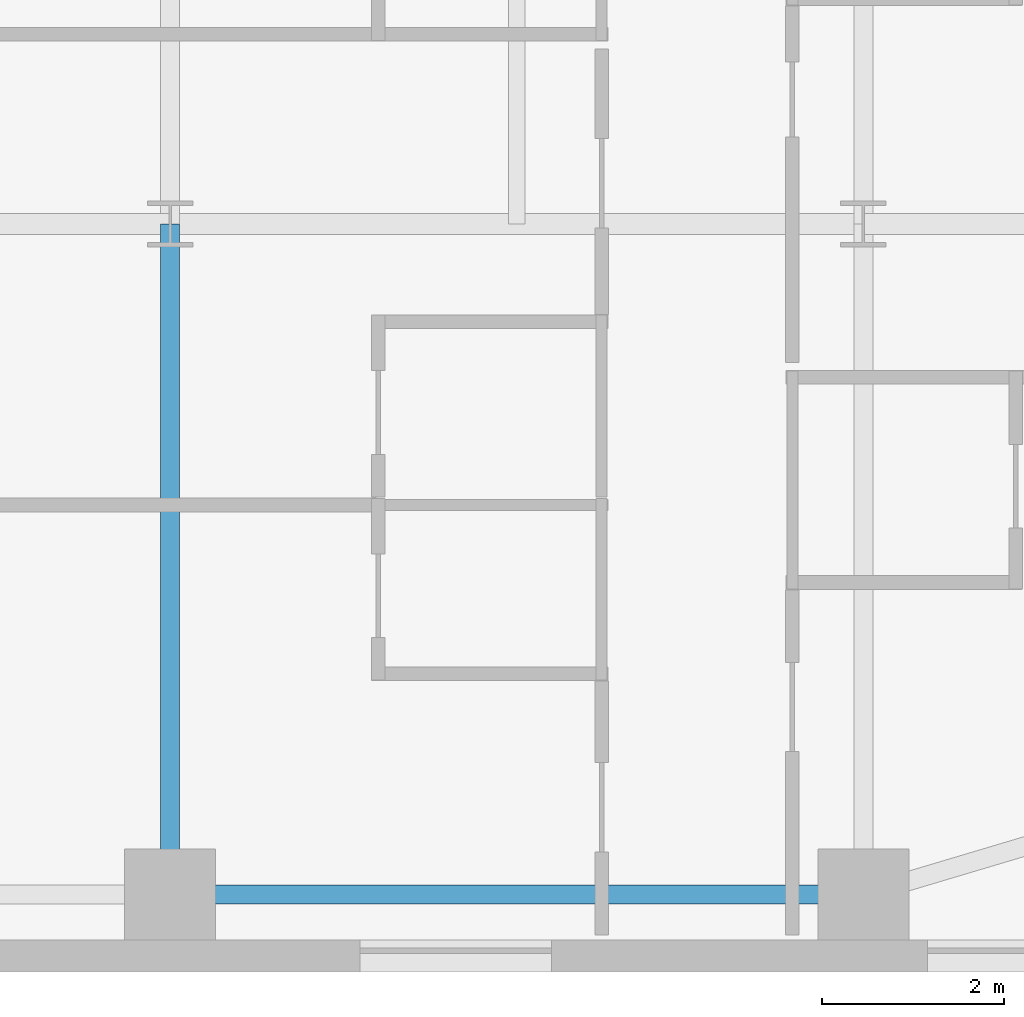
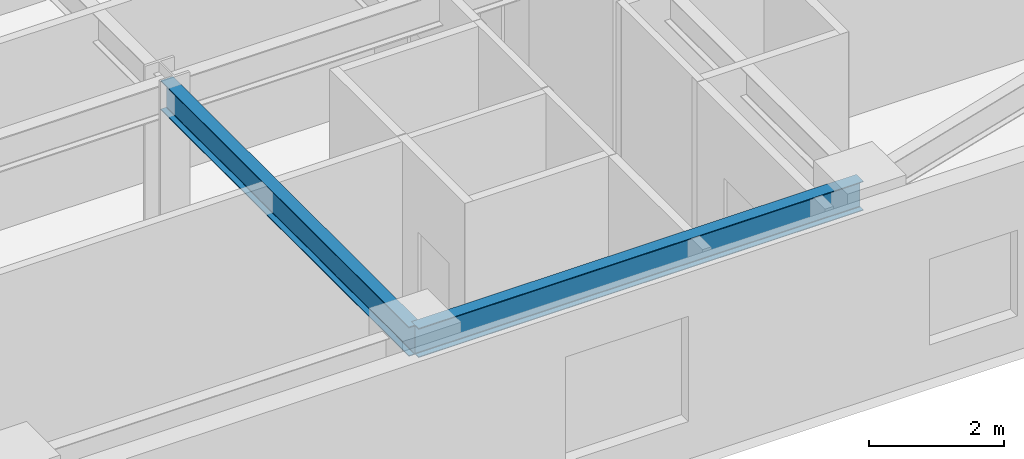
# One storey, part 6 of 17: 2 beams.
"""IFC4 building model written with IfcOpenShell, lengths in metres."""

from ifc_helpers import new_model, si_unit, direction, frame, origin, origin_2d, place, context, subcontext, project, spatial, i_section, extrude, source, transform, mapped, material, material_profile, profile_set, type_object, type_shapes, element, save


model = new_model("IFC4")

# Units and contexts
model_context = context("Model", 3, precision=1e-05, world=origin(), true_north=direction((0.0, 1.0)))
body_context = subcontext(model_context, "Body", "Model", "MODEL_VIEW")
ifc_project = project(units=[si_unit("LENGTHUNIT", "METRE"), si_unit("AREAUNIT", "SQUARE_METRE"), si_unit("VOLUMEUNIT", "CUBIC_METRE"), si_unit("PLANEANGLEUNIT", "RADIAN"), si_unit("MASSUNIT", "GRAM", prefix="KILO")], contexts=[model_context])

# Site, building, storey
site_placement = place(None, origin())
site = spatial("IfcSite", under=ifc_project, at=site_placement, CompositionType="ELEMENT")
building_placement = place(site_placement, origin())
building = spatial("IfcBuilding", under=site, at=building_placement, Name="Tolvann Quenvar Hotel", CompositionType="ELEMENT")
storey_placement = place(building_placement, frame((0.0, 0.0, 42.64990234375)))
storey = spatial("IfcBuildingStorey", under=building, at=storey_placement, Name="L09", CompositionType="ELEMENT", Elevation=42.64990234375)

# Beams
ifc_material = material(Name="Steel Grade 350", Category="steel")
ifc_material_profile_1 = material_profile(ifc_material, i_section(OverallWidth=0.208984375, OverallDepth=0.528076171875, WebThickness=0.009521484375, FlangeThickness=0.01318359375, FilletRadius=0.013916015625, at=origin_2d()), Name="530UB82")
ifc_profile_set_1 = profile_set([ifc_material_profile_1], Name="Steel Grade 350")
beam_type_1 = type_object("IfcBeamType", Name="BM_SPAND_530UB82", PredefinedType="SPANDREL", material=ifc_profile_set_1)
shared_shape_1 = source(origin(), body_context, "Body", "SweptSolid", [
    extrude(i_section(OverallWidth=0.208984375, OverallDepth=0.528076171875, WebThickness=0.009521484375, FlangeThickness=0.01318359375, FilletRadius=0.013916015625, at=origin_2d()), origin(), (0.0, 0.0, 1.0), 7.599853515625),
])
type_shapes(beam_type_1, [shared_shape_1])
beam_1_placement = place(storey_placement, frame((41.800048828125, 0.85009765625, 3.106201171875), z_axis=(1.0, 0.0, 0.0), x_axis=(0.0, 1.0, 0.0)))
element("IfcBeam", 1, at=beam_1_placement, inside=storey, type_object=beam_type_1, Name="BM-L09-EW-2-H2-I2", PredefinedType="SPANDREL", context=body_context, shape_type="MappedRepresentation", body=[
    mapped(shared_shape_1, transform((0.0, 0.0, 0.0), x_axis=(1.0, 0.0, 0.0), y_axis=(0.0, 1.0, 0.0), z_axis=(0.0, 0.0, 1.0), scale=1.0)),
])
ifc_material_profile_2 = material_profile(ifc_material, i_section(OverallWidth=0.208984375, OverallDepth=0.532958984375, WebThickness=0.01025390625, FlangeThickness=0.015625, FilletRadius=0.013916015625, at=origin_2d()), Name="530UB92")
ifc_profile_set_2 = profile_set([ifc_material_profile_2], Name="Steel Grade 350")
beam_type_2 = type_object("IfcBeamType", Name="BM_GIRD_530UB92", PredefinedType="BEAM", material=ifc_profile_set_2)
shared_shape_2 = source(origin(), body_context, "Body", "SweptSolid", [
    extrude(i_section(OverallWidth=0.208984375, OverallDepth=0.532958984375, WebThickness=0.01025390625, FlangeThickness=0.015625, FilletRadius=0.013916015625, at=origin_2d()), origin(), (0.0, 0.0, 1.0), 7.349853515625),
])
type_shapes(beam_type_2, [shared_shape_2])
beam_2_placement = place(storey_placement, frame((41.800048828125, 0.85009765625, 3.103515625), z_axis=(0.0, 1.0, 0.0), x_axis=(-1.0, 0.0, 0.0)))
element("IfcBeam", 2, at=beam_2_placement, inside=storey, type_object=beam_type_2, Name="BM-L09-NS-H2-H3", PredefinedType="BEAM", context=body_context, shape_type="MappedRepresentation", body=[
    mapped(shared_shape_2, transform((0.0, 0.0, 0.0), x_axis=(1.0, 0.0, 0.0), y_axis=(0.0, 1.0, 0.0), z_axis=(0.0, 0.0, 1.0), scale=1.0)),
])

save(model, "model.ifc")
